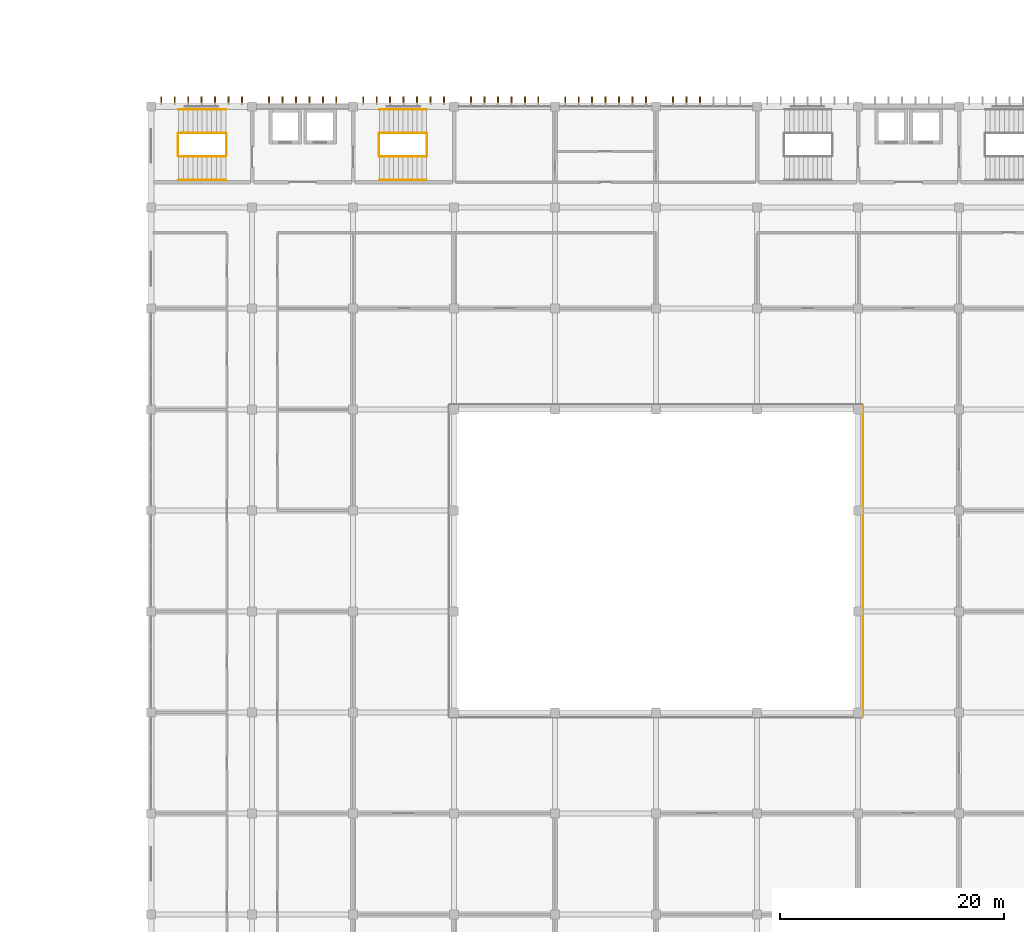
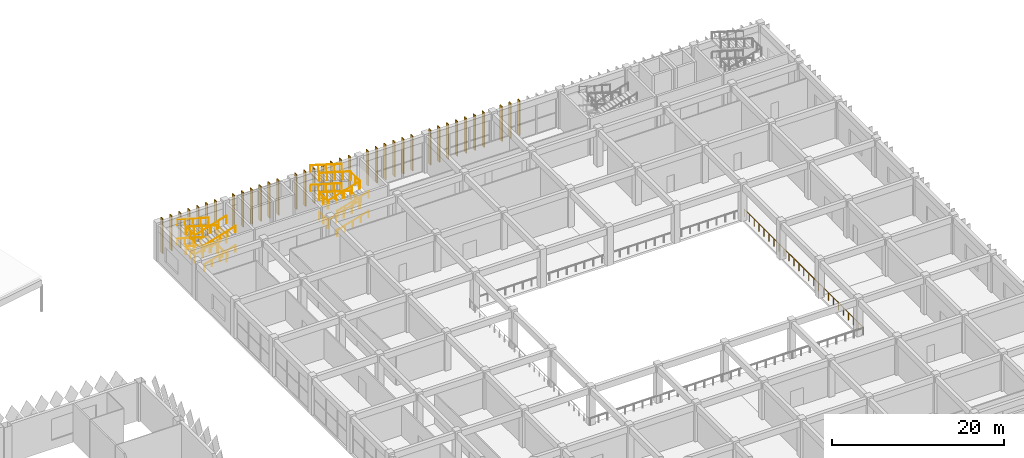
# One storey, part 184 of 185: 36 coverings, 25 railings.
"""IFC4 building model written with IfcOpenShell, lengths in metres."""

from ifc_helpers import new_model, si_unit, direction, frame, origin, origin_2d, place, context, subcontext, project, spatial, rectangle, circle, extrude, material, layer, layer_set, constituent, constituent_set, type_object, element, save


model = new_model("IFC4")

# Units and contexts
model_context = context("Model", 3, precision=1e-05, world=origin(), true_north=direction((0.0, 1.0)))
body_context = subcontext(model_context, "Body", "Model", "MODEL_VIEW")
ifc_project = project(units=[si_unit("LENGTHUNIT", "METRE"), si_unit("AREAUNIT", "SQUARE_METRE"), si_unit("VOLUMEUNIT", "CUBIC_METRE"), si_unit("PLANEANGLEUNIT", "RADIAN"), si_unit("MASSUNIT", "GRAM", prefix="KILO")], contexts=[model_context])

# Site, building, storey
site_placement = place(None, origin())
site = spatial("IfcSite", under=ifc_project, at=site_placement, CompositionType="ELEMENT")
building_placement = place(site_placement, origin())
building = spatial("IfcBuilding", under=site, at=building_placement, Name="Opaline Strait Convention Centre", CompositionType="ELEMENT")
storey_placement = place(building_placement, frame((0.0, 0.0, 6.0)))
storey = spatial("IfcBuildingStorey", under=building, at=storey_placement, Name="L01", CompositionType="ELEMENT", Elevation=6.0)

# Railings
ifc_material_1 = material(Name="Steel Q235B", Category="steel")
ifc_constituent_1 = constituent(ifc_material_1, Name="Frame")
ifc_material_2 = material(Name="Safety glass, bonded interlayer", Category="glass")
ifc_constituent_2 = constituent(ifc_material_2, Name="Infill")
ifc_constituent_set = constituent_set(constituents=[ifc_constituent_1, ifc_constituent_2], Name="Steel Q235B, Safety glass, bonded interlayer")
railing_type_1 = type_object("IfcRailingType", Name="Guard 1100 steel and glass", PredefinedType="GUARDRAIL", material=ifc_constituent_set)
railing_1_placement = place(storey_placement, frame((285.650146484375, 177.650146484375, 0.125)))
element("IfcRailing", 1, at=railing_1_placement, inside=storey, type_object=railing_type_1, Name="L01 S5 stair guard 1", PredefinedType="GUARDRAIL", context=body_context, shape_type="SweptSolid", body=[
    extrude(circle(Radius=0.02392578125, at=origin_2d()), frame((0.0, 0.0, 1.076171875), z_axis=(-0.958451171748, 0.0, 0.285256641246), x_axis=(0.0, -1.0, 0.0)), (0.0, 0.0, 1.0), 4.382080078125),
    extrude(circle(Radius=0.02099609375, at=origin_2d()), origin(), (0.0, 0.0, 1.0), 1.052001953125),
    extrude(circle(Radius=0.02099609375, at=origin_2d()), frame((-1.050048828125, 0.0, 0.3125)), (0.0, 0.0, 1.0), 1.052001953125),
    extrude(circle(Radius=0.02099609375, at=origin_2d()), frame((-2.10009765625, 0.0, 0.625)), (0.0, 0.0, 1.0), 1.052001953125),
    extrude(circle(Radius=0.02099609375, at=origin_2d()), frame((-3.14990234375, 0.0, 0.9375)), (0.0, 0.0, 1.0), 1.052001953125),
    extrude(circle(Radius=0.02099609375, at=origin_2d()), frame((-4.199951171875, 0.0, 1.25)), (0.0, 0.0, 1.0), 1.052001953125),
])
railing_2_placement = place(storey_placement, frame((281.400146484375, 177.60009765625, 1.375)))
element("IfcRailing", 2, at=railing_2_placement, inside=storey, type_object=railing_type_1, Name="L01 S5 stair guard 2", PredefinedType="GUARDRAIL", context=body_context, shape_type="SweptSolid", body=[
    extrude(circle(Radius=0.02392578125, at=origin_2d()), frame((0.0, 0.0, 1.076171875), z_axis=(0.0, -1.0, 0.0), x_axis=(1.0, 0.0, 0.0)), (0.0, 0.0, 1.0), 2.0),
    extrude(circle(Radius=0.02099609375, at=origin_2d()), origin(), (0.0, 0.0, 1.0), 1.052001953125),
    extrude(circle(Radius=0.02099609375, at=origin_2d()), frame((0.0, -1.0, 0.0)), (0.0, 0.0, 1.0), 1.052001953125),
    extrude(circle(Radius=0.02099609375, at=origin_2d()), frame((0.0, -2.0, 0.0)), (0.0, 0.0, 1.0), 1.052001953125),
])
railing_3_placement = place(storey_placement, frame((281.4501953125, 175.550048828125, 1.5)))
element("IfcRailing", 3, at=railing_3_placement, inside=storey, type_object=railing_type_1, Name="L01 S5 stair guard 3", PredefinedType="GUARDRAIL", context=body_context, shape_type="SweptSolid", body=[
    extrude(circle(Radius=0.02392578125, at=origin_2d()), frame((0.0, 0.0, 1.076171875), z_axis=(0.958451171748, 0.0, 0.285256641246), x_axis=(0.0, 1.0, 0.0)), (0.0, 0.0, 1.0), 4.382080078125),
    extrude(circle(Radius=0.02099609375, at=origin_2d()), origin(), (0.0, 0.0, 1.0), 1.052001953125),
    extrude(circle(Radius=0.02099609375, at=origin_2d()), frame((1.050048828125, 0.0, 0.3125)), (0.0, 0.0, 1.0), 1.052001953125),
    extrude(circle(Radius=0.02099609375, at=origin_2d()), frame((2.10009765625, 0.0, 0.625)), (0.0, 0.0, 1.0), 1.052001953125),
    extrude(circle(Radius=0.02099609375, at=origin_2d()), frame((3.14990234375, 0.0, 0.9375)), (0.0, 0.0, 1.0), 1.052001953125),
    extrude(circle(Radius=0.02099609375, at=origin_2d()), frame((4.199951171875, 0.0, 1.25)), (0.0, 0.0, 1.0), 1.052001953125),
])
railing_4_placement = place(storey_placement, frame((285.7001953125, 177.60009765625, 2.75)))
element("IfcRailing", 4, at=railing_4_placement, inside=storey, type_object=railing_type_1, Name="L01 S5 stair guard 4", PredefinedType="GUARDRAIL", context=body_context, shape_type="SweptSolid", body=[
    extrude(circle(Radius=0.02392578125, at=origin_2d()), frame((0.0, 0.0, 1.076171875), z_axis=(0.0, -1.0, 0.0), x_axis=(1.0, 0.0, 0.0)), (0.0, 0.0, 1.0), 2.0),
    extrude(circle(Radius=0.02099609375, at=origin_2d()), origin(), (0.0, 0.0, 1.0), 1.052001953125),
    extrude(circle(Radius=0.02099609375, at=origin_2d()), frame((0.0, -1.0, 0.0)), (0.0, 0.0, 1.0), 1.052001953125),
    extrude(circle(Radius=0.02099609375, at=origin_2d()), frame((0.0, -2.0, 0.0)), (0.0, 0.0, 1.0), 1.052001953125),
])
railing_5_placement = place(storey_placement, frame((285.650146484375, 177.650146484375, 2.875)))
element("IfcRailing", 5, at=railing_5_placement, inside=storey, type_object=railing_type_1, Name="L01 S5 stair guard 5", PredefinedType="GUARDRAIL", context=body_context, shape_type="SweptSolid", body=[
    extrude(circle(Radius=0.02392578125, at=origin_2d()), frame((0.0, 0.0, 1.076171875), z_axis=(-0.958451171748, 0.0, 0.285256641246), x_axis=(0.0, -1.0, 0.0)), (0.0, 0.0, 1.0), 4.382080078125),
    extrude(circle(Radius=0.02099609375, at=origin_2d()), origin(), (0.0, 0.0, 1.0), 1.052001953125),
    extrude(circle(Radius=0.02099609375, at=origin_2d()), frame((-1.050048828125, 0.0, 0.3125)), (0.0, 0.0, 1.0), 1.052001953125),
    extrude(circle(Radius=0.02099609375, at=origin_2d()), frame((-2.10009765625, 0.0, 0.625)), (0.0, 0.0, 1.0), 1.052001953125),
    extrude(circle(Radius=0.02099609375, at=origin_2d()), frame((-3.14990234375, 0.0, 0.9375)), (0.0, 0.0, 1.0), 1.052001953125),
    extrude(circle(Radius=0.02099609375, at=origin_2d()), frame((-4.199951171875, 0.0, 1.25)), (0.0, 0.0, 1.0), 1.052001953125),
])
railing_6_placement = place(storey_placement, frame((281.400146484375, 177.60009765625, 4.125)))
element("IfcRailing", 6, at=railing_6_placement, inside=storey, type_object=railing_type_1, Name="L01 S5 stair guard 6", PredefinedType="GUARDRAIL", context=body_context, shape_type="SweptSolid", body=[
    extrude(circle(Radius=0.02392578125, at=origin_2d()), frame((0.0, 0.0, 1.076171875), z_axis=(0.0, -1.0, 0.0), x_axis=(1.0, 0.0, 0.0)), (0.0, 0.0, 1.0), 2.0),
    extrude(circle(Radius=0.02099609375, at=origin_2d()), origin(), (0.0, 0.0, 1.0), 1.052001953125),
    extrude(circle(Radius=0.02099609375, at=origin_2d()), frame((0.0, -1.0, 0.0)), (0.0, 0.0, 1.0), 1.052001953125),
    extrude(circle(Radius=0.02099609375, at=origin_2d()), frame((0.0, -2.0, 0.0)), (0.0, 0.0, 1.0), 1.052001953125),
])
railing_7_placement = place(storey_placement, frame((281.4501953125, 175.550048828125, 4.25)))
element("IfcRailing", 7, at=railing_7_placement, inside=storey, type_object=railing_type_1, Name="L01 S5 stair guard 7", PredefinedType="GUARDRAIL", context=body_context, shape_type="SweptSolid", body=[
    extrude(circle(Radius=0.02392578125, at=origin_2d()), frame((0.0, 0.0, 1.076171875), z_axis=(0.958451171748, 0.0, 0.285256641246), x_axis=(0.0, 1.0, 0.0)), (0.0, 0.0, 1.0), 4.382080078125),
    extrude(circle(Radius=0.02099609375, at=origin_2d()), origin(), (0.0, 0.0, 1.0), 1.052001953125),
    extrude(circle(Radius=0.02099609375, at=origin_2d()), frame((1.050048828125, 0.0, 0.3125)), (0.0, 0.0, 1.0), 1.052001953125),
    extrude(circle(Radius=0.02099609375, at=origin_2d()), frame((2.10009765625, 0.0, 0.625)), (0.0, 0.0, 1.0), 1.052001953125),
    extrude(circle(Radius=0.02099609375, at=origin_2d()), frame((3.14990234375, 0.0, 0.9375)), (0.0, 0.0, 1.0), 1.052001953125),
    extrude(circle(Radius=0.02099609375, at=origin_2d()), frame((4.199951171875, 0.0, 1.25)), (0.0, 0.0, 1.0), 1.052001953125),
])
railing_8_placement = place(storey_placement, frame((285.7001953125, 177.60009765625, 0.0)))
element("IfcRailing", 8, at=railing_8_placement, inside=storey, type_object=railing_type_1, Name="L01 S5 stair guard 8", PredefinedType="GUARDRAIL", context=body_context, shape_type="SweptSolid", body=[
    extrude(circle(Radius=0.02392578125, at=origin_2d()), frame((0.0, 0.0, 1.076171875), z_axis=(0.0, -1.0, 0.0), x_axis=(1.0, 0.0, 0.0)), (0.0, 0.0, 1.0), 2.0),
    extrude(circle(Radius=0.02099609375, at=origin_2d()), origin(), (0.0, 0.0, 1.0), 1.052001953125),
    extrude(circle(Radius=0.02099609375, at=origin_2d()), frame((0.0, -1.0, 0.0)), (0.0, 0.0, 1.0), 1.052001953125),
    extrude(circle(Radius=0.02099609375, at=origin_2d()), frame((0.0, -2.0, 0.0)), (0.0, 0.0, 1.0), 1.052001953125),
])
railing_9_placement = place(storey_placement, frame((299.349853515625, 175.5498046875, 0.125)))
element("IfcRailing", 9, at=railing_9_placement, inside=storey, type_object=railing_type_1, Name="L01 S6 stair guard 1", PredefinedType="GUARDRAIL", context=body_context, shape_type="SweptSolid", body=[
    extrude(circle(Radius=0.02392578125, at=origin_2d()), frame((0.0, 0.0, 1.076171875), z_axis=(0.958451171748, 0.0, 0.285256641246), x_axis=(0.0, 1.0, 0.0)), (0.0, 0.0, 1.0), 4.382080078125),
    extrude(circle(Radius=0.02099609375, at=origin_2d()), origin(), (0.0, 0.0, 1.0), 1.052001953125),
    extrude(circle(Radius=0.02099609375, at=origin_2d()), frame((1.050048828125, 0.0, 0.3125)), (0.0, 0.0, 1.0), 1.052001953125),
    extrude(circle(Radius=0.02099609375, at=origin_2d()), frame((2.10009765625, 0.0, 0.625)), (0.0, 0.0, 1.0), 1.052001953125),
    extrude(circle(Radius=0.02099609375, at=origin_2d()), frame((3.14990234375, 0.0, 0.9375)), (0.0, 0.0, 1.0), 1.052001953125),
    extrude(circle(Radius=0.02099609375, at=origin_2d()), frame((4.199951171875, 0.0, 1.25)), (0.0, 0.0, 1.0), 1.052001953125),
])
railing_10_placement = place(storey_placement, frame((303.599853515625, 175.599853515625, 1.375)))
element("IfcRailing", 10, at=railing_10_placement, inside=storey, type_object=railing_type_1, Name="L01 S6 stair guard 2", PredefinedType="GUARDRAIL", context=body_context, shape_type="SweptSolid", body=[
    extrude(circle(Radius=0.02392578125, at=origin_2d()), frame((0.0, 0.0, 1.076171875), z_axis=(0.0, 1.0, 0.0), x_axis=(-1.0, 0.0, 0.0)), (0.0, 0.0, 1.0), 2.0),
    extrude(circle(Radius=0.02099609375, at=origin_2d()), origin(), (0.0, 0.0, 1.0), 1.052001953125),
    extrude(circle(Radius=0.02099609375, at=origin_2d()), frame((0.0, 1.0, 0.0)), (0.0, 0.0, 1.0), 1.052001953125),
    extrude(circle(Radius=0.02099609375, at=origin_2d()), frame((0.0, 2.0, 0.0)), (0.0, 0.0, 1.0), 1.052001953125),
])
railing_11_placement = place(storey_placement, frame((303.5498046875, 177.64990234375, 1.5)))
element("IfcRailing", 11, at=railing_11_placement, inside=storey, type_object=railing_type_1, Name="L01 S6 stair guard 3", PredefinedType="GUARDRAIL", context=body_context, shape_type="SweptSolid", body=[
    extrude(circle(Radius=0.02392578125, at=origin_2d()), frame((0.0, 0.0, 1.076171875), z_axis=(-0.958451171748, 0.0, 0.285256641246), x_axis=(0.0, -1.0, 0.0)), (0.0, 0.0, 1.0), 4.382080078125),
    extrude(circle(Radius=0.02099609375, at=origin_2d()), origin(), (0.0, 0.0, 1.0), 1.052001953125),
    extrude(circle(Radius=0.02099609375, at=origin_2d()), frame((-1.050048828125, 0.0, 0.3125)), (0.0, 0.0, 1.0), 1.052001953125),
    extrude(circle(Radius=0.02099609375, at=origin_2d()), frame((-2.10009765625, 0.0, 0.625)), (0.0, 0.0, 1.0), 1.052001953125),
    extrude(circle(Radius=0.02099609375, at=origin_2d()), frame((-3.14990234375, 0.0, 0.9375)), (0.0, 0.0, 1.0), 1.052001953125),
    extrude(circle(Radius=0.02099609375, at=origin_2d()), frame((-4.199951171875, 0.0, 1.25)), (0.0, 0.0, 1.0), 1.052001953125),
])
railing_12_placement = place(storey_placement, frame((299.2998046875, 175.599853515625, 2.75)))
element("IfcRailing", 12, at=railing_12_placement, inside=storey, type_object=railing_type_1, Name="L01 S6 stair guard 4", PredefinedType="GUARDRAIL", context=body_context, shape_type="SweptSolid", body=[
    extrude(circle(Radius=0.02392578125, at=origin_2d()), frame((0.0, 0.0, 1.076171875), z_axis=(0.0, 1.0, 0.0), x_axis=(-1.0, 0.0, 0.0)), (0.0, 0.0, 1.0), 2.0),
    extrude(circle(Radius=0.02099609375, at=origin_2d()), origin(), (0.0, 0.0, 1.0), 1.052001953125),
    extrude(circle(Radius=0.02099609375, at=origin_2d()), frame((0.0, 1.0, 0.0)), (0.0, 0.0, 1.0), 1.052001953125),
    extrude(circle(Radius=0.02099609375, at=origin_2d()), frame((0.0, 2.0, 0.0)), (0.0, 0.0, 1.0), 1.052001953125),
])
railing_13_placement = place(storey_placement, frame((299.349853515625, 175.5498046875, 2.875)))
element("IfcRailing", 13, at=railing_13_placement, inside=storey, type_object=railing_type_1, Name="L01 S6 stair guard 5", PredefinedType="GUARDRAIL", context=body_context, shape_type="SweptSolid", body=[
    extrude(circle(Radius=0.02392578125, at=origin_2d()), frame((0.0, 0.0, 1.076171875), z_axis=(0.958451171748, 0.0, 0.285256641246), x_axis=(0.0, 1.0, 0.0)), (0.0, 0.0, 1.0), 4.382080078125),
    extrude(circle(Radius=0.02099609375, at=origin_2d()), origin(), (0.0, 0.0, 1.0), 1.052001953125),
    extrude(circle(Radius=0.02099609375, at=origin_2d()), frame((1.050048828125, 0.0, 0.3125)), (0.0, 0.0, 1.0), 1.052001953125),
    extrude(circle(Radius=0.02099609375, at=origin_2d()), frame((2.10009765625, 0.0, 0.625)), (0.0, 0.0, 1.0), 1.052001953125),
    extrude(circle(Radius=0.02099609375, at=origin_2d()), frame((3.14990234375, 0.0, 0.9375)), (0.0, 0.0, 1.0), 1.052001953125),
    extrude(circle(Radius=0.02099609375, at=origin_2d()), frame((4.199951171875, 0.0, 1.25)), (0.0, 0.0, 1.0), 1.052001953125),
])
railing_14_placement = place(storey_placement, frame((303.599853515625, 175.599853515625, 4.125)))
element("IfcRailing", 14, at=railing_14_placement, inside=storey, type_object=railing_type_1, Name="L01 S6 stair guard 6", PredefinedType="GUARDRAIL", context=body_context, shape_type="SweptSolid", body=[
    extrude(circle(Radius=0.02392578125, at=origin_2d()), frame((0.0, 0.0, 1.076171875), z_axis=(0.0, 1.0, 0.0), x_axis=(-1.0, 0.0, 0.0)), (0.0, 0.0, 1.0), 2.0),
    extrude(circle(Radius=0.02099609375, at=origin_2d()), origin(), (0.0, 0.0, 1.0), 1.052001953125),
    extrude(circle(Radius=0.02099609375, at=origin_2d()), frame((0.0, 1.0, 0.0)), (0.0, 0.0, 1.0), 1.052001953125),
    extrude(circle(Radius=0.02099609375, at=origin_2d()), frame((0.0, 2.0, 0.0)), (0.0, 0.0, 1.0), 1.052001953125),
])
railing_15_placement = place(storey_placement, frame((303.5498046875, 177.64990234375, 4.25)))
element("IfcRailing", 15, at=railing_15_placement, inside=storey, type_object=railing_type_1, Name="L01 S6 stair guard 7", PredefinedType="GUARDRAIL", context=body_context, shape_type="SweptSolid", body=[
    extrude(circle(Radius=0.02392578125, at=origin_2d()), frame((0.0, 0.0, 1.076171875), z_axis=(-0.958451171748, 0.0, 0.285256641246), x_axis=(0.0, -1.0, 0.0)), (0.0, 0.0, 1.0), 4.382080078125),
    extrude(circle(Radius=0.02099609375, at=origin_2d()), origin(), (0.0, 0.0, 1.0), 1.052001953125),
    extrude(circle(Radius=0.02099609375, at=origin_2d()), frame((-1.050048828125, 0.0, 0.3125)), (0.0, 0.0, 1.0), 1.052001953125),
    extrude(circle(Radius=0.02099609375, at=origin_2d()), frame((-2.10009765625, 0.0, 0.625)), (0.0, 0.0, 1.0), 1.052001953125),
    extrude(circle(Radius=0.02099609375, at=origin_2d()), frame((-3.14990234375, 0.0, 0.9375)), (0.0, 0.0, 1.0), 1.052001953125),
    extrude(circle(Radius=0.02099609375, at=origin_2d()), frame((-4.199951171875, 0.0, 1.25)), (0.0, 0.0, 1.0), 1.052001953125),
])
railing_16_placement = place(storey_placement, frame((299.2998046875, 175.599853515625, 0.0)))
element("IfcRailing", 16, at=railing_16_placement, inside=storey, type_object=railing_type_1, Name="L01 S6 stair guard 8", PredefinedType="GUARDRAIL", context=body_context, shape_type="SweptSolid", body=[
    extrude(circle(Radius=0.02392578125, at=origin_2d()), frame((0.0, 0.0, 1.076171875), z_axis=(0.0, 1.0, 0.0), x_axis=(-1.0, 0.0, 0.0)), (0.0, 0.0, 1.0), 2.0),
    extrude(circle(Radius=0.02099609375, at=origin_2d()), origin(), (0.0, 0.0, 1.0), 1.052001953125),
    extrude(circle(Radius=0.02099609375, at=origin_2d()), frame((0.0, 1.0, 0.0)), (0.0, 0.0, 1.0), 1.052001953125),
    extrude(circle(Radius=0.02099609375, at=origin_2d()), frame((0.0, 2.0, 0.0)), (0.0, 0.0, 1.0), 1.052001953125),
])
railing_17_placement = place(storey_placement, frame((342.449951171875, 125.64990234375, 0.0)))
element("IfcRailing", 17, at=railing_17_placement, inside=storey, type_object=railing_type_1, Name="Atrium edge guard L01 E", PredefinedType="GUARDRAIL", context=body_context, shape_type="SweptSolid", body=[
    extrude(circle(Radius=0.02392578125, at=origin_2d()), frame((0.0, 0.0, 1.076171875), z_axis=(0.0, 1.0, 0.0), x_axis=(-1.0, 0.0, 0.0)), (0.0, 0.0, 1.0), 27.7001953125),
    extrude(circle(Radius=0.02099609375, at=origin_2d()), origin(), (0.0, 0.0, 1.0), 1.052001953125),
    extrude(circle(Radius=0.02099609375, at=origin_2d()), frame((0.0, 1.154296875, 0.0)), (0.0, 0.0, 1.0), 1.052001953125),
    extrude(circle(Radius=0.02099609375, at=origin_2d()), frame((0.0, 2.308349609375, 0.0)), (0.0, 0.0, 1.0), 1.052001953125),
    extrude(circle(Radius=0.02099609375, at=origin_2d()), frame((0.0, 3.46240234375, 0.0)), (0.0, 0.0, 1.0), 1.052001953125),
    extrude(circle(Radius=0.02099609375, at=origin_2d()), frame((0.0, 4.61669921875, 0.0)), (0.0, 0.0, 1.0), 1.052001953125),
    extrude(circle(Radius=0.02099609375, at=origin_2d()), frame((0.0, 5.77099609375, 0.0)), (0.0, 0.0, 1.0), 1.052001953125),
    extrude(circle(Radius=0.02099609375, at=origin_2d()), frame((0.0, 6.925048828125, 0.0)), (0.0, 0.0, 1.0), 1.052001953125),
    extrude(circle(Radius=0.02099609375, at=origin_2d()), frame((0.0, 8.0791015625, 0.0)), (0.0, 0.0, 1.0), 1.052001953125),
    extrude(circle(Radius=0.02099609375, at=origin_2d()), frame((0.0, 9.2333984375, 0.0)), (0.0, 0.0, 1.0), 1.052001953125),
    extrude(circle(Radius=0.02099609375, at=origin_2d()), frame((0.0, 10.3876953125, 0.0)), (0.0, 0.0, 1.0), 1.052001953125),
    extrude(circle(Radius=0.02099609375, at=origin_2d()), frame((0.0, 11.541748046875, 0.0)), (0.0, 0.0, 1.0), 1.052001953125),
    extrude(circle(Radius=0.02099609375, at=origin_2d()), frame((0.0, 12.69580078125, 0.0)), (0.0, 0.0, 1.0), 1.052001953125),
    extrude(circle(Radius=0.02099609375, at=origin_2d()), frame((0.0, 13.85009765625, 0.0)), (0.0, 0.0, 1.0), 1.052001953125),
    extrude(circle(Radius=0.02099609375, at=origin_2d()), frame((0.0, 15.004150390625, 0.0)), (0.0, 0.0, 1.0), 1.052001953125),
    extrude(circle(Radius=0.02099609375, at=origin_2d()), frame((0.0, 16.158447265625, 0.0)), (0.0, 0.0, 1.0), 1.052001953125),
    extrude(circle(Radius=0.02099609375, at=origin_2d()), frame((0.0, 17.3125, 0.0)), (0.0, 0.0, 1.0), 1.052001953125),
    extrude(circle(Radius=0.02099609375, at=origin_2d()), frame((0.0, 18.466796875, 0.0)), (0.0, 0.0, 1.0), 1.052001953125),
    extrude(circle(Radius=0.02099609375, at=origin_2d()), frame((0.0, 19.62109375, 0.0)), (0.0, 0.0, 1.0), 1.052001953125),
    extrude(circle(Radius=0.02099609375, at=origin_2d()), frame((0.0, 20.775146484375, 0.0)), (0.0, 0.0, 1.0), 1.052001953125),
    extrude(circle(Radius=0.02099609375, at=origin_2d()), frame((0.0, 21.92919921875, 0.0)), (0.0, 0.0, 1.0), 1.052001953125),
    extrude(circle(Radius=0.02099609375, at=origin_2d()), frame((0.0, 23.08349609375, 0.0)), (0.0, 0.0, 1.0), 1.052001953125),
    extrude(circle(Radius=0.02099609375, at=origin_2d()), frame((0.0, 24.23779296875, 0.0)), (0.0, 0.0, 1.0), 1.052001953125),
    extrude(circle(Radius=0.02099609375, at=origin_2d()), frame((0.0, 25.391845703125, 0.0)), (0.0, 0.0, 1.0), 1.052001953125),
    extrude(circle(Radius=0.02099609375, at=origin_2d()), frame((0.0, 26.5458984375, 0.0)), (0.0, 0.0, 1.0), 1.052001953125),
    extrude(circle(Radius=0.02099609375, at=origin_2d()), frame((0.0, 27.7001953125, 0.0)), (0.0, 0.0, 1.0), 1.052001953125),
])
ifc_material_3 = material(Name="Stainless steel 304", Category="steel")
railing_type_2 = type_object("IfcRailingType", Name="Stair handrail 900 stainless steel", PredefinedType="HANDRAIL", material=ifc_material_3)
railing_18_placement = place(storey_placement, frame((285.650146484375, 179.75, 0.125)))
element("IfcRailing", 18, at=railing_18_placement, inside=storey, type_object=railing_type_2, Name="L01 S5 stair handrail 1", PredefinedType="HANDRAIL", context=body_context, shape_type="SweptSolid", body=[
    extrude(circle(Radius=0.02392578125, at=origin_2d()), frame((0.0, 0.0, 0.8759765625), z_axis=(-0.958451171748, 0.0, 0.285256641246), x_axis=(0.0, -1.0, 0.0)), (0.0, 0.0, 1.0), 4.382080078125),
    extrude(circle(Radius=0.02099609375, at=origin_2d()), origin(), (0.0, 0.0, 1.0), 0.851806640625),
    extrude(circle(Radius=0.02099609375, at=origin_2d()), frame((-1.050048828125, 0.0, 0.3125)), (0.0, 0.0, 1.0), 0.851806640625),
    extrude(circle(Radius=0.02099609375, at=origin_2d()), frame((-2.10009765625, 0.0, 0.625)), (0.0, 0.0, 1.0), 0.851806640625),
    extrude(circle(Radius=0.02099609375, at=origin_2d()), frame((-3.14990234375, 0.0, 0.9375)), (0.0, 0.0, 1.0), 0.851806640625),
    extrude(circle(Radius=0.02099609375, at=origin_2d()), frame((-4.199951171875, 0.0, 1.25)), (0.0, 0.0, 1.0), 0.851806640625),
])
railing_19_placement = place(storey_placement, frame((281.4501953125, 173.449951171875, 1.5)))
element("IfcRailing", 19, at=railing_19_placement, inside=storey, type_object=railing_type_2, Name="L01 S5 stair handrail 2", PredefinedType="HANDRAIL", context=body_context, shape_type="SweptSolid", body=[
    extrude(circle(Radius=0.02392578125, at=origin_2d()), frame((0.0, 0.0, 0.8759765625), z_axis=(0.958451171748, 0.0, 0.285256641246), x_axis=(0.0, 1.0, 0.0)), (0.0, 0.0, 1.0), 4.382080078125),
    extrude(circle(Radius=0.02099609375, at=origin_2d()), origin(), (0.0, 0.0, 1.0), 0.851806640625),
    extrude(circle(Radius=0.02099609375, at=origin_2d()), frame((1.050048828125, 0.0, 0.3125)), (0.0, 0.0, 1.0), 0.851806640625),
    extrude(circle(Radius=0.02099609375, at=origin_2d()), frame((2.10009765625, 0.0, 0.625)), (0.0, 0.0, 1.0), 0.851806640625),
    extrude(circle(Radius=0.02099609375, at=origin_2d()), frame((3.14990234375, 0.0, 0.9375)), (0.0, 0.0, 1.0), 0.851806640625),
    extrude(circle(Radius=0.02099609375, at=origin_2d()), frame((4.199951171875, 0.0, 1.25)), (0.0, 0.0, 1.0), 0.851806640625),
])
railing_20_placement = place(storey_placement, frame((285.650146484375, 179.75, 2.875)))
element("IfcRailing", 20, at=railing_20_placement, inside=storey, type_object=railing_type_2, Name="L01 S5 stair handrail 3", PredefinedType="HANDRAIL", context=body_context, shape_type="SweptSolid", body=[
    extrude(circle(Radius=0.02392578125, at=origin_2d()), frame((0.0, 0.0, 0.8759765625), z_axis=(-0.958451171748, 0.0, 0.285256641246), x_axis=(0.0, -1.0, 0.0)), (0.0, 0.0, 1.0), 4.382080078125),
    extrude(circle(Radius=0.02099609375, at=origin_2d()), origin(), (0.0, 0.0, 1.0), 0.851806640625),
    extrude(circle(Radius=0.02099609375, at=origin_2d()), frame((-1.050048828125, 0.0, 0.3125)), (0.0, 0.0, 1.0), 0.851806640625),
    extrude(circle(Radius=0.02099609375, at=origin_2d()), frame((-2.10009765625, 0.0, 0.625)), (0.0, 0.0, 1.0), 0.851806640625),
    extrude(circle(Radius=0.02099609375, at=origin_2d()), frame((-3.14990234375, 0.0, 0.9375)), (0.0, 0.0, 1.0), 0.851806640625),
    extrude(circle(Radius=0.02099609375, at=origin_2d()), frame((-4.199951171875, 0.0, 1.25)), (0.0, 0.0, 1.0), 0.851806640625),
])
for number, where, name in (
    (21, (281.4501953125, 173.449951171875, 4.25), "L01 S5 stair handrail 4"),
    (22, (299.349853515625, 173.449951171875, 0.125), "L01 S6 stair handrail 1"),
):
    element("IfcRailing", number, at=place(storey_placement, frame(where)), inside=storey, type_object=railing_type_2, Name=name, PredefinedType="HANDRAIL", context=body_context, shape_type="SweptSolid", body=[
        extrude(circle(Radius=0.02392578125, at=origin_2d()), frame((0.0, 0.0, 0.8759765625), z_axis=(0.958451171748, 0.0, 0.285256641246), x_axis=(0.0, 1.0, 0.0)), (0.0, 0.0, 1.0), 4.382080078125),
        extrude(circle(Radius=0.02099609375, at=origin_2d()), origin(), (0.0, 0.0, 1.0), 0.851806640625),
        extrude(circle(Radius=0.02099609375, at=origin_2d()), frame((1.050048828125, 0.0, 0.3125)), (0.0, 0.0, 1.0), 0.851806640625),
        extrude(circle(Radius=0.02099609375, at=origin_2d()), frame((2.10009765625, 0.0, 0.625)), (0.0, 0.0, 1.0), 0.851806640625),
        extrude(circle(Radius=0.02099609375, at=origin_2d()), frame((3.14990234375, 0.0, 0.9375)), (0.0, 0.0, 1.0), 0.851806640625),
        extrude(circle(Radius=0.02099609375, at=origin_2d()), frame((4.199951171875, 0.0, 1.25)), (0.0, 0.0, 1.0), 0.851806640625),
    ])
railing_21_placement = place(storey_placement, frame((303.5498046875, 179.75, 1.5)))
element("IfcRailing", 23, at=railing_21_placement, inside=storey, type_object=railing_type_2, Name="L01 S6 stair handrail 2", PredefinedType="HANDRAIL", context=body_context, shape_type="SweptSolid", body=[
    extrude(circle(Radius=0.02392578125, at=origin_2d()), frame((0.0, 0.0, 0.8759765625), z_axis=(-0.958451171748, 0.0, 0.285256641246), x_axis=(0.0, -1.0, 0.0)), (0.0, 0.0, 1.0), 4.382080078125),
    extrude(circle(Radius=0.02099609375, at=origin_2d()), origin(), (0.0, 0.0, 1.0), 0.851806640625),
    extrude(circle(Radius=0.02099609375, at=origin_2d()), frame((-1.050048828125, 0.0, 0.3125)), (0.0, 0.0, 1.0), 0.851806640625),
    extrude(circle(Radius=0.02099609375, at=origin_2d()), frame((-2.10009765625, 0.0, 0.625)), (0.0, 0.0, 1.0), 0.851806640625),
    extrude(circle(Radius=0.02099609375, at=origin_2d()), frame((-3.14990234375, 0.0, 0.9375)), (0.0, 0.0, 1.0), 0.851806640625),
    extrude(circle(Radius=0.02099609375, at=origin_2d()), frame((-4.199951171875, 0.0, 1.25)), (0.0, 0.0, 1.0), 0.851806640625),
])
railing_22_placement = place(storey_placement, frame((299.349853515625, 173.449951171875, 2.875)))
element("IfcRailing", 24, at=railing_22_placement, inside=storey, type_object=railing_type_2, Name="L01 S6 stair handrail 3", PredefinedType="HANDRAIL", context=body_context, shape_type="SweptSolid", body=[
    extrude(circle(Radius=0.02392578125, at=origin_2d()), frame((0.0, 0.0, 0.8759765625), z_axis=(0.958451171748, 0.0, 0.285256641246), x_axis=(0.0, 1.0, 0.0)), (0.0, 0.0, 1.0), 4.382080078125),
    extrude(circle(Radius=0.02099609375, at=origin_2d()), origin(), (0.0, 0.0, 1.0), 0.851806640625),
    extrude(circle(Radius=0.02099609375, at=origin_2d()), frame((1.050048828125, 0.0, 0.3125)), (0.0, 0.0, 1.0), 0.851806640625),
    extrude(circle(Radius=0.02099609375, at=origin_2d()), frame((2.10009765625, 0.0, 0.625)), (0.0, 0.0, 1.0), 0.851806640625),
    extrude(circle(Radius=0.02099609375, at=origin_2d()), frame((3.14990234375, 0.0, 0.9375)), (0.0, 0.0, 1.0), 0.851806640625),
    extrude(circle(Radius=0.02099609375, at=origin_2d()), frame((4.199951171875, 0.0, 1.25)), (0.0, 0.0, 1.0), 0.851806640625),
])
railing_23_placement = place(storey_placement, frame((303.5498046875, 179.75, 4.25)))
element("IfcRailing", 25, at=railing_23_placement, inside=storey, type_object=railing_type_2, Name="L01 S6 stair handrail 4", PredefinedType="HANDRAIL", context=body_context, shape_type="SweptSolid", body=[
    extrude(circle(Radius=0.02392578125, at=origin_2d()), frame((0.0, 0.0, 0.8759765625), z_axis=(-0.958451171748, 0.0, 0.285256641246), x_axis=(0.0, -1.0, 0.0)), (0.0, 0.0, 1.0), 4.382080078125),
    extrude(circle(Radius=0.02099609375, at=origin_2d()), origin(), (0.0, 0.0, 1.0), 0.851806640625),
    extrude(circle(Radius=0.02099609375, at=origin_2d()), frame((-1.050048828125, 0.0, 0.3125)), (0.0, 0.0, 1.0), 0.851806640625),
    extrude(circle(Radius=0.02099609375, at=origin_2d()), frame((-2.10009765625, 0.0, 0.625)), (0.0, 0.0, 1.0), 0.851806640625),
    extrude(circle(Radius=0.02099609375, at=origin_2d()), frame((-3.14990234375, 0.0, 0.9375)), (0.0, 0.0, 1.0), 0.851806640625),
    extrude(circle(Radius=0.02099609375, at=origin_2d()), frame((-4.199951171875, 0.0, 1.25)), (0.0, 0.0, 1.0), 0.851806640625),
])

# Coverings
ifc_material_4 = material(Name="Aluminium alloy 6063-T5", Category="aluminium")
ifc_layer = layer(ifc_material_4, 0.1201171875)
ifc_layer_set = layer_set([ifc_layer], Name="Aluminium alloy 6063-T5")
covering_type = type_object("IfcCoveringType", Name="Storm louvre fin 120 x 500 aluminium", PredefinedType="CLADDING", material=ifc_layer_set)
for number, where, z_axis, x_axis, name in (
    (26, (279.89990234375, 180.60009765625, 0.25), (0.0, 0.0, 1.0), (1.0, 0.0, 0.0), "Storm louvre fin N L01"),
    (27, (281.10009765625, 180.60009765625, 0.25), (0.0, 0.0, 1.0), (1.0, 0.0, 0.0), "Storm louvre fin N L01"),
    (28, (282.300048828125, 180.60009765625, 0.25), (0.0, 0.0, 1.0), (1.0, 0.0, 0.0), "Storm louvre fin N L01"),
    (29, (283.5, 180.60009765625, 0.25), (0.0, 0.0, 1.0), (1.0, 0.0, 0.0), "Storm louvre fin N L01"),
    (30, (284.699951171875, 180.60009765625, 0.25), (0.0, 0.0, 1.0), (1.0, 0.0, 0.0), "Storm louvre fin N L01"),
    (31, (285.89990234375, 180.60009765625, 0.25), (0.0, 0.0, 1.0), (1.0, 0.0, 0.0), "Storm louvre fin N L01"),
    (32, (287.10009765625, 180.60009765625, 0.25), (0.0, 0.0, 1.0), (1.0, 0.0, 0.0), "Storm louvre fin N L01"),
    (33, (289.5, 180.60009765625, 0.25), (0.0, 0.0, 1.0), (1.0, 0.0, 0.0), "Storm louvre fin N L01"),
    (34, (290.699951171875, 180.60009765625, 0.25), (0.0, 0.0, 1.0), (1.0, 0.0, 0.0), "Storm louvre fin N L01"),
    (35, (291.89990234375, 180.60009765625, 0.25), (0.0, 0.0, 1.0), (1.0, 0.0, 0.0), "Storm louvre fin N L01"),
    (36, (293.10009765625, 180.60009765625, 0.25), (0.0, 0.0, 1.0), (1.0, 0.0, 0.0), "Storm louvre fin N L01"),
    (37, (294.300048828125, 180.60009765625, 0.25), (0.0, 0.0, 1.0), (1.0, 0.0, 0.0), "Storm louvre fin N L01"),
    (38, (295.5, 180.60009765625, 0.25), (0.0, 0.0, 1.0), (1.0, 0.0, 0.0), "Storm louvre fin N L01"),
    (39, (297.89990234375, 180.60009765625, 0.25), (0.0, 0.0, 1.0), (1.0, 0.0, 0.0), "Storm louvre fin N L01"),
    (40, (299.10009765625, 180.60009765625, 0.25), (0.0, 0.0, 1.0), (1.0, 0.0, 0.0), "Storm louvre fin N L01"),
    (41, (300.300048828125, 180.60009765625, 0.25), (0.0, 0.0, 1.0), (1.0, 0.0, 0.0), "Storm louvre fin N L01"),
    (42, (301.5, 180.60009765625, 0.25), (0.0, 0.0, 1.0), (1.0, 0.0, 0.0), "Storm louvre fin N L01"),
    (43, (302.699951171875, 180.60009765625, 0.25), (0.0, 0.0, 1.0), (1.0, 0.0, 0.0), "Storm louvre fin N L01"),
    (44, (303.89990234375, 180.60009765625, 0.25), (0.0, 0.0, 1.0), (1.0, 0.0, 0.0), "Storm louvre fin N L01"),
    (45, (305.10009765625, 180.60009765625, 0.25), (0.0, 0.0, 1.0), (1.0, 0.0, 0.0), "Storm louvre fin N L01"),
    (46, (307.5, 180.60009765625, 0.25), (0.0, 0.0, 1.0), (1.0, 0.0, 0.0), "Storm louvre fin N L01"),
    (47, (308.699951171875, 180.60009765625, 0.25), (0.0, 0.0, 1.0), (1.0, 0.0, 0.0), "Storm louvre fin N L01"),
    (48, (309.89990234375, 180.60009765625, 0.25), (0.0, 0.0, 1.0), (1.0, 0.0, 0.0), "Storm louvre fin N L01"),
    (49, (311.10009765625, 180.60009765625, 0.25), (0.0, 0.0, 1.0), (1.0, 0.0, 0.0), "Storm louvre fin N L01"),
    (50, (312.300048828125, 180.60009765625, 0.25), (0.0, 0.0, 1.0), (1.0, 0.0, 0.0), "Storm louvre fin N L01"),
    (51, (313.5, 180.60009765625, 0.25), (0.0, 0.0, 1.0), (1.0, 0.0, 0.0), "Storm louvre fin N L01"),
    (52, (315.89990234375, 180.60009765625, 0.25), (0.0, 0.0, 1.0), (1.0, 0.0, 0.0), "Storm louvre fin N L01"),
    (53, (317.10009765625, 180.60009765625, 0.25), (0.0, 0.0, 1.0), (1.0, 0.0, 0.0), "Storm louvre fin N L01"),
    (54, (318.300048828125, 180.60009765625, 0.25), (0.0, 0.0, 1.0), (1.0, 0.0, 0.0), "Storm louvre fin N L01"),
    (55, (319.5, 180.60009765625, 0.25), (0.0, 0.0, 1.0), (1.0, 0.0, 0.0), "Storm louvre fin N L01"),
    (56, (320.699951171875, 180.60009765625, 0.25), (0.0, 0.0, 1.0), (1.0, 0.0, 0.0), "Storm louvre fin N L01"),
    (57, (321.89990234375, 180.60009765625, 0.25), (0.0, 0.0, 1.0), (1.0, 0.0, 0.0), "Storm louvre fin N L01"),
    (58, (323.10009765625, 180.60009765625, 0.25), (0.0, 0.0, 1.0), (1.0, 0.0, 0.0), "Storm louvre fin N L01"),
    (59, (325.5, 180.60009765625, 0.25), (0.0, 0.0, 1.0), (1.0, 0.0, 0.0), "Storm louvre fin N L01"),
    (60, (326.699951171875, 180.60009765625, 0.25), (0.0, 0.0, 1.0), (1.0, 0.0, 0.0), "Storm louvre fin N L01"),
    (61, (327.89990234375, 180.60009765625, 0.25), (0.0, 0.0, 1.0), (1.0, 0.0, 0.0), "Storm louvre fin N L01"),
):
    element("IfcCovering", number, at=place(storey_placement, frame(where, z_axis=z_axis, x_axis=x_axis)), inside=storey, type_object=covering_type, Name=name, PredefinedType="CLADDING", context=body_context, shape_type="SweptSolid", body=[
        extrude(rectangle(XDim=0.1201171875, YDim=0.5, at=origin_2d()), origin(), (0.0, 0.0, 1.0), 4.949951171875),
    ])

save(model, "model.ifc")
